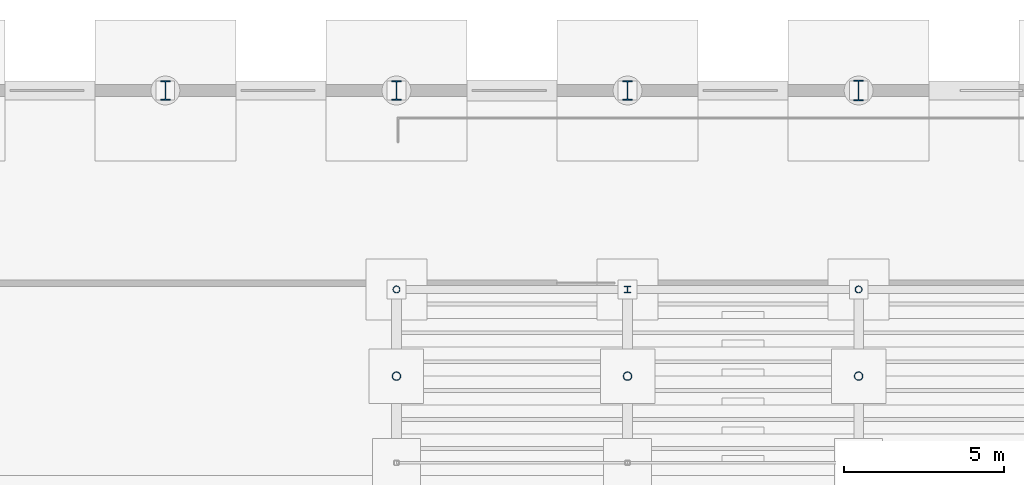
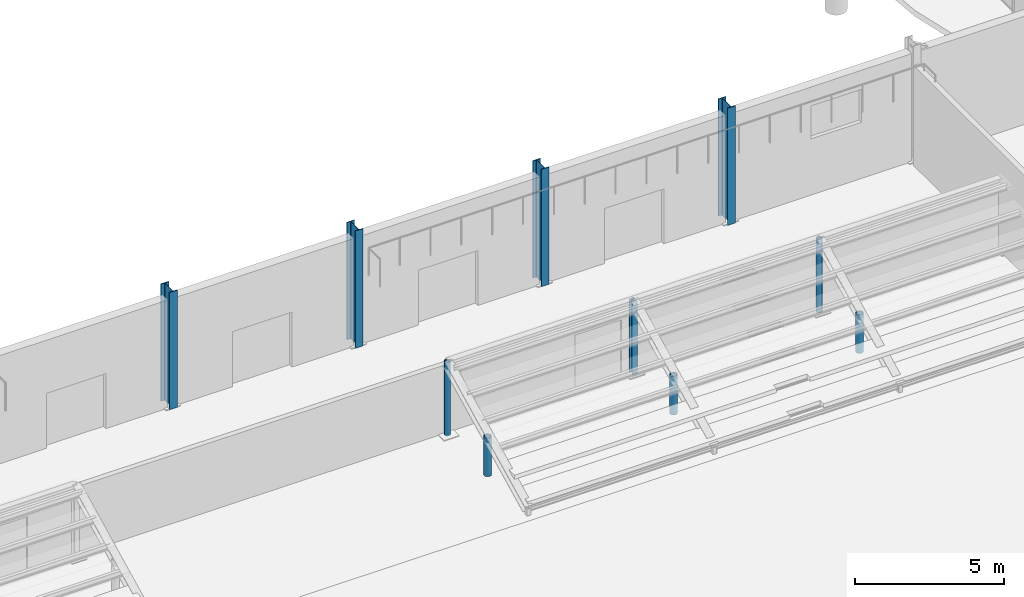
# One storey, part 10 of 101: 10 columns.
"""IFC4 building model written with IfcOpenShell, lengths in metres."""

import ifcopenshell
import ifcopenshell.guid

model = None  # the IFC model being written
_history = None  # IfcOwnerHistory: only IFC2X3 demands one
_inside = {}  # id of a spatial element -> (the spatial element, [elements in it])
_under = {}  # id of a project, library or spatial element -> (it, [spatial elements below it])
_declared = {}  # id of a project -> (the project, [libraries it declares])
_typed = {}  # id of a type object -> (the type object, [elements of that type])
_made_of = {}  # id of a material, layer set ... -> (it, [elements and type objects made of it])


def new_model(schema):
    """Start an empty IFC model of exactly this schema.

    Asked for "IFC4X3", IfcOpenShell would pick the latest addendum, in which some entities
    have other attributes; the version numbers below select the first issue.
    IFC2X3 requires an IfcOwnerHistory on every rooted entity: one is made here for all.
    """
    global model, _history
    if schema == "IFC4X3":
        model = ifcopenshell.file(schema_version=(4, 3, 0, 0))
    else:
        model = ifcopenshell.file(schema=schema)
    _inside.clear()
    _under.clear()
    _declared.clear()
    _typed.clear()
    _made_of.clear()
    _history = None
    if model.schema == "IFC2X3":
        org = make("IfcOrganization", Name="unknown")
        user = make(
            "IfcPersonAndOrganization",
            ThePerson=make("IfcPerson", FamilyName="unknown"),
            TheOrganization=org,
        )
        app = make(
            "IfcApplication",
            ApplicationDeveloper=org,
            Version="unknown",
            ApplicationFullName="unknown",
            ApplicationIdentifier="unknown",
        )
        _history = make(
            "IfcOwnerHistory",
            OwningUser=user,
            OwningApplication=app,
            ChangeAction="ADDED",
            CreationDate=0,
        )
    return model


def make(cls, **values):
    """One entity of the class cls with the attributes given. An attribute that is None is left unset."""
    return model.create_entity(
        cls, **{name: value for name, value in values.items() if value is not None}
    )


def rooted(cls, **values):
    """An entity with a GlobalId (a new one), such as an element, a storey or a relation."""
    return make(cls, GlobalId=ifcopenshell.guid.new(), OwnerHistory=_history, **values)


def si_unit(unit_type, name, prefix=None):
    """IfcSIUnit, for example si_unit("LENGTHUNIT", "METRE", prefix="MILLI")."""
    return make("IfcSIUnit", UnitType=unit_type, Prefix=prefix, Name=name)


def derived_unit(unit_type, elements):
    """IfcDerivedUnit: a product of units, each with its exponent."""
    return make(
        "IfcDerivedUnit",
        Elements=[
            make("IfcDerivedUnitElement", Unit=unit, Exponent=power)
            for unit, power in elements
        ],
        UnitType=unit_type,
    )


def assignment(units):
    """IfcUnitAssignment: the units of a project."""
    return None if units is None else make("IfcUnitAssignment", Units=units)


def point(xyz):
    """IfcCartesianPoint."""
    return None if xyz is None else make("IfcCartesianPoint", Coordinates=xyz)


def direction(xyz):
    """IfcDirection."""
    return None if xyz is None else make("IfcDirection", DirectionRatios=xyz)


def frame(location, z_axis=None, x_axis=None):
    """IfcAxis2Placement3D, a coordinate frame: its origin and axes. An axis left out is left unset."""
    return make(
        "IfcAxis2Placement3D",
        Location=point(location),
        Axis=direction(z_axis),
        RefDirection=direction(x_axis),
    )


def frame_2d(location, x_axis=None):
    """IfcAxis2Placement2D, a coordinate frame in the plane: its origin and x axis."""
    return make(
        "IfcAxis2Placement2D", Location=point(location), RefDirection=direction(x_axis)
    )


def origin():
    """The frame at (0, 0, 0) with its axes left unset."""
    return frame((0.0, 0.0, 0.0))


def origin_2d():
    """The frame at (0, 0) in the plane with its x axis left unset."""
    return frame_2d((0.0, 0.0))


def place(relative_to, where):
    """IfcLocalPlacement: puts the frame where relative to a parent placement (None: the world)."""
    return make(
        "IfcLocalPlacement", PlacementRelTo=relative_to, RelativePlacement=where
    )


def context(
    kind, dimensions, precision=None, world=None, true_north=None, identifier=None
):
    """IfcGeometricRepresentationContext, for example the 3D "Model" context."""
    return make(
        "IfcGeometricRepresentationContext",
        ContextIdentifier=identifier,
        ContextType=kind,
        CoordinateSpaceDimension=dimensions,
        Precision=precision,
        WorldCoordinateSystem=world,
        TrueNorth=true_north,
    )


def subcontext(parent, identifier, kind, view, scale=None):
    """IfcGeometricRepresentationSubContext, for example "Body" below "Model"."""
    return make(
        "IfcGeometricRepresentationSubContext",
        ContextIdentifier=identifier,
        ContextType=kind,
        ParentContext=parent,
        TargetScale=scale,
        TargetView=view,
    )


def project(units=None, contexts=None):
    """IfcProject with its units and contexts."""
    return rooted(
        "IfcProject",
        Name="project",
        RepresentationContexts=contexts,
        UnitsInContext=assignment(units),
    )


def spatial(cls, under=None, at=None, **own):
    """A site, building, storey or space (cls), placed at a placement, below another one or the project."""
    s = rooted(cls, ObjectPlacement=at, **own)
    if under is not None:
        _under.setdefault(under.id(), (under, []))[1].append(s)
    return s


def profile(cls, at=None, kind="AREA", **sizes):
    """A parametric profile (cls). Its sizes go by their IFC names, for example OverallWidth=200.0."""
    return make(cls, ProfileType=kind, Position=at, **sizes)


def hollow_circle(**sizes):
    """IfcCircleHollowProfileDef."""
    return profile("IfcCircleHollowProfileDef", **sizes)


def i_section(**sizes):
    """IfcIShapeProfileDef."""
    return profile("IfcIShapeProfileDef", **sizes)


def extrude(swept, where, along, depth):
    """IfcExtrudedAreaSolid: the profile swept, set in the frame where, extruded along a direction by depth."""
    return make(
        "IfcExtrudedAreaSolid",
        SweptArea=swept,
        Position=where,
        ExtrudedDirection=direction(along),
        Depth=depth,
    )


def shape(context_of_items, identifier, shape_type, items):
    """IfcShapeRepresentation: the items that make up one representation, for example the "Body"."""
    return make(
        "IfcShapeRepresentation",
        ContextOfItems=context_of_items,
        RepresentationIdentifier=identifier,
        RepresentationType=shape_type,
        Items=items,
    )


def material(Name=None, Category=None):
    """IfcMaterial."""
    return make("IfcMaterial", Name=Name, Category=Category)


def material_profile(
    of_material, cross_section, Name=None, Category=None, Priority=None
):
    """IfcMaterialProfile: a cross section and its material."""
    return make(
        "IfcMaterialProfile",
        Name=Name,
        Material=of_material,
        Profile=cross_section,
        Priority=Priority,
        Category=Category,
    )


def profile_set(profiles, Name=None, composite=None):
    """IfcMaterialProfileSet."""
    return make(
        "IfcMaterialProfileSet",
        Name=Name,
        MaterialProfiles=profiles,
        CompositeProfile=composite,
    )


def made_of(thing, what):
    """Note that an element or type object is made of a material, layer set ...; save() writes the relation."""
    if what is not None:
        _made_of.setdefault(what.id(), (what, []))[1].append(thing)
    return thing


def type_object(cls, material=None, **own):
    """A type object (cls), such as IfcWallType, which elements share."""
    return made_of(rooted(cls, **own), material)


def element(
    cls,
    number,
    at=None,
    inside=None,
    cuts=None,
    type_object=None,
    material=None,
    context=None,
    identifier="Body",
    shape_type=None,
    held_by="IfcProductDefinitionShape",
    body=None,
    shapes=None,
    **own,
):
    """One element of the class cls, such as IfcWall. Its Tag is "e" and its number.

    at: its placement. inside: the storey or other place that contains it. cuts: it is an
    opening in that element (IfcRelVoidsElement). A single representation is given by context,
    identifier, shape_type and body (its items); several are given by shapes. held_by: the class
    of the entity that holds the representations. save() writes the other relations.
    """
    e = rooted(cls, Tag="e%d" % number, ObjectPlacement=at, **own)
    if body is not None:
        shapes = [shape(context, identifier, shape_type, body)]
    if shapes is not None:
        e.Representation = make(held_by, Representations=shapes)
    if inside is not None:
        _inside.setdefault(inside.id(), (inside, []))[1].append(e)
    if cuts is not None:
        rooted(
            "IfcRelVoidsElement", RelatingBuildingElement=cuts, RelatedOpeningElement=e
        )
    if type_object is not None:
        _typed.setdefault(type_object.id(), (type_object, []))[1].append(e)
    return made_of(e, material)


def aggregate(whole, parts):
    """IfcRelAggregates: a whole, such as a stair, and the parts it consists of."""
    return rooted("IfcRelAggregates", RelatingObject=whole, RelatedObjects=parts)


def save(model, path):
    """Write the relations noted so far, then the file.

    IfcRelAggregates (storeys below a building ...), IfcRelContainedInSpatialStructure (elements
    in a storey), IfcRelDefinesByType, IfcRelAssociatesMaterial and IfcRelDeclares: one each for
    every whole, place, type object, material and project.
    """
    for whole, parts in _under.values():
        aggregate(whole, parts)
    for where, things in _inside.values():
        rooted(
            "IfcRelContainedInSpatialStructure",
            RelatedElements=things,
            RelatingStructure=where,
        )
    for kind, things in _typed.values():
        rooted("IfcRelDefinesByType", RelatedObjects=things, RelatingType=kind)
    for what, things in _made_of.values():
        rooted("IfcRelAssociatesMaterial", RelatedObjects=things, RelatingMaterial=what)
    for by, libraries in _declared.values():
        rooted("IfcRelDeclares", RelatingContext=by, RelatedDefinitions=libraries)
    model.write(path)


model = new_model("IFC4")

# Units and contexts
model_context = context("Model", 3, precision=1e-05, world=origin(), true_north=direction((0.0, 1.0)))
body_context = subcontext(model_context, "Body", "Model", "MODEL_VIEW")
ifc_project = project(units=[si_unit("LENGTHUNIT", "METRE"), si_unit("AREAUNIT", "SQUARE_METRE"), si_unit("VOLUMEUNIT", "CUBIC_METRE"), si_unit("PLANEANGLEUNIT", "RADIAN"), si_unit("MASSUNIT", "GRAM", prefix="KILO"), derived_unit("THERMALTRANSMITTANCEUNIT", [(si_unit("POWERUNIT", "WATT"), 1), (si_unit("LENGTHUNIT", "METRE"), -2), (si_unit("THERMODYNAMICTEMPERATUREUNIT", "KELVIN"), -1)])], contexts=[model_context])

# Site, building, storey
site_placement = place(None, origin())
site = spatial("IfcSite", under=ifc_project, at=site_placement, CompositionType="ELEMENT")
building_placement = place(site_placement, origin())
building = spatial("IfcBuilding", under=site, at=building_placement, Name="Keldorne Ridge Multi-Sports Centre", CompositionType="ELEMENT")
storey_placement = place(building_placement, origin())
storey = spatial("IfcBuildingStorey", under=building, at=storey_placement, Name="L00", CompositionType="ELEMENT", Elevation=0.0)

# Columns
ifc_material = material(Name="Steel S355", Category="steel")
ifc_material_profile_1 = material_profile(ifc_material, i_section(OverallWidth=0.300048828125, OverallDepth=0.60009765625, WebThickness=0.015380859375, FlangeThickness=0.030029296875, FilletRadius=0.027099609375, at=origin_2d()), Name="HEB 600")
ifc_profile_set_1 = profile_set([ifc_material_profile_1], Name="Steel S355")
column_type_1 = type_object("IfcColumnType", Name="COL-C-01", PredefinedType="COLUMN", material=ifc_profile_set_1)
for number, where, z_axis, x_axis, name in (
    (1, (42.0, 54.0, 0.0), (0.0, 0.0, 1.0), (1.0, 0.0, 0.0), "Structural column V1-HALL-N-06 on L00"),
    (2, (49.199951171875, 54.0, 0.0), (0.0, 0.0, 1.0), (1.0, 0.0, 0.0), "Structural column V1-HALL-N-07 on L00"),
    (3, (56.39990234375, 54.0, 0.0), (0.0, 0.0, 1.0), (1.0, 0.0, 0.0), "Structural column V1-HALL-N-08 on L00"),
):
    element("IfcColumn", number, at=place(storey_placement, frame(where, z_axis=z_axis, x_axis=x_axis)), inside=storey, type_object=column_type_1, Name=name, PredefinedType="COLUMN", context=body_context, shape_type="SweptSolid", body=[
        extrude(i_section(OverallWidth=0.300048828125, OverallDepth=0.60009765625, WebThickness=0.015380859375, FlangeThickness=0.030029296875, FilletRadius=0.027099609375, at=origin_2d()), origin(), (0.0, 0.0, 1.0), 4.800048828125),
    ])
ifc_material_profile_2 = material_profile(ifc_material, hollow_circle(Radius=0.109619140625, WallThickness=0.012451171875, at=origin_2d()), Name="CHS 219.1x12.5")
ifc_profile_set_2 = profile_set([ifc_material_profile_2], Name="Steel S355")
column_type_2 = type_object("IfcColumnType", Name="COL-C-26", PredefinedType="COLUMN", material=ifc_profile_set_2)
for number, where, z_axis, x_axis, name in (
    (4, (49.199951171875, 47.800048828125, 0.0), (0.0, 0.0, 1.0), (1.0, 0.0, 0.0), "Structural column V1-STDCOL-NORTH-05 on L00"),
    (5, (63.60009765625, 47.800048828125, 0.0), (0.0, 0.0, 1.0), (1.0, 0.0, 0.0), "Structural column V1-STDCOL-NORTH-07 on L00"),
):
    element("IfcColumn", number, at=place(storey_placement, frame(where, z_axis=z_axis, x_axis=x_axis)), inside=storey, type_object=column_type_2, Name=name, PredefinedType="COLUMN", context=body_context, shape_type="SweptSolid", body=[
        extrude(hollow_circle(Radius=0.109619140625, WallThickness=0.012451171875, at=origin_2d()), origin(), (0.0, 0.0, 1.0), 3.02001953125),
    ])
ifc_material_profile_3 = material_profile(ifc_material, i_section(OverallWidth=0.199951171875, OverallDepth=0.199951171875, WebThickness=0.009033203125, FlangeThickness=0.014892578125, FilletRadius=0.01806640625, at=origin_2d()), Name="HEB 200")
ifc_profile_set_3 = profile_set([ifc_material_profile_3], Name="Steel S355")
column_type_3 = type_object("IfcColumnType", Name="COL-C-31", PredefinedType="COLUMN", material=ifc_profile_set_3)
column_1_placement = place(storey_placement, frame((56.39990234375, 47.800048828125, 0.0), z_axis=(0.0, 0.0, 1.0), x_axis=(1.0, 0.0, 0.0)))
element("IfcColumn", 6, at=column_1_placement, inside=storey, type_object=column_type_3, Name="Structural column V1-STDCOL-NORTH-06 on L00", PredefinedType="COLUMN", context=body_context, shape_type="SweptSolid", body=[
    extrude(i_section(OverallWidth=0.199951171875, OverallDepth=0.199951171875, WebThickness=0.009033203125, FlangeThickness=0.014892578125, FilletRadius=0.01806640625, at=origin_2d()), origin(), (0.0, 0.0, 1.0), 3.02001953125),
])
ifc_material_profile_4 = material_profile(ifc_material, i_section(OverallWidth=0.300048828125, OverallDepth=0.64990234375, WebThickness=0.01611328125, FlangeThickness=0.031005859375, FilletRadius=0.027099609375, at=origin_2d()), Name="HEB 650")
ifc_profile_set_4 = profile_set([ifc_material_profile_4], Name="Steel S355")
column_type_4 = type_object("IfcColumnType", Name="COL-C-38", PredefinedType="COLUMN", material=ifc_profile_set_4)
column_2_placement = place(storey_placement, frame((63.60009765625, 54.0, 0.0), z_axis=(0.0, 0.0, 1.0), x_axis=(1.0, 0.0, 0.0)))
element("IfcColumn", 7, at=column_2_placement, inside=storey, type_object=column_type_4, Name="Structural column V1-HALL-N-09 on L00", PredefinedType="COLUMN", context=body_context, shape_type="SweptSolid", body=[
    extrude(i_section(OverallWidth=0.300048828125, OverallDepth=0.64990234375, WebThickness=0.01611328125, FlangeThickness=0.031005859375, FilletRadius=0.027099609375, at=origin_2d()), origin(), (0.0, 0.0, 1.0), 4.800048828125),
])
ifc_material_profile_5 = material_profile(ifc_material, hollow_circle(Radius=0.133544921875, WallThickness=0.012451171875, at=origin_2d()), Name="CHS 267x12.5")
ifc_profile_set_5 = profile_set([ifc_material_profile_5], Name="Steel S355")
column_type_5 = type_object("IfcColumnType", Name="COL-C-41", PredefinedType="COLUMN", material=ifc_profile_set_5)
for number, where, z_axis, x_axis, name in (
    (8, (49.199951171875, 45.10009765625, 0.0), (0.0, 0.0, 1.0), (1.0, 0.0, 0.0), "Structural column V1-STDMID-NORTH-05 on L00"),
    (9, (56.39990234375, 45.10009765625, 0.0), (0.0, 0.0, 1.0), (1.0, 0.0, 0.0), "Structural column V1-STDMID-NORTH-06 on L00"),
    (10, (63.60009765625, 45.10009765625, 0.0), (0.0, 0.0, 1.0), (1.0, 0.0, 0.0), "Structural column V1-STDMID-NORTH-07 on L00"),
):
    element("IfcColumn", number, at=place(storey_placement, frame(where, z_axis=z_axis, x_axis=x_axis)), inside=storey, type_object=column_type_5, Name=name, PredefinedType="COLUMN", context=body_context, shape_type="SweptSolid", body=[
        extrude(hollow_circle(Radius=0.133544921875, WallThickness=0.012451171875, at=origin_2d()), origin(), (0.0, 0.0, 1.0), 1.580078125),
    ])

save(model, "model.ifc")
